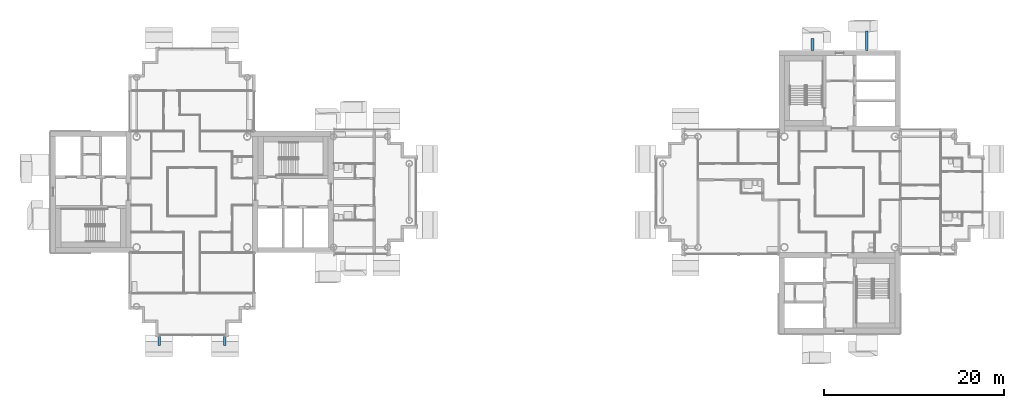
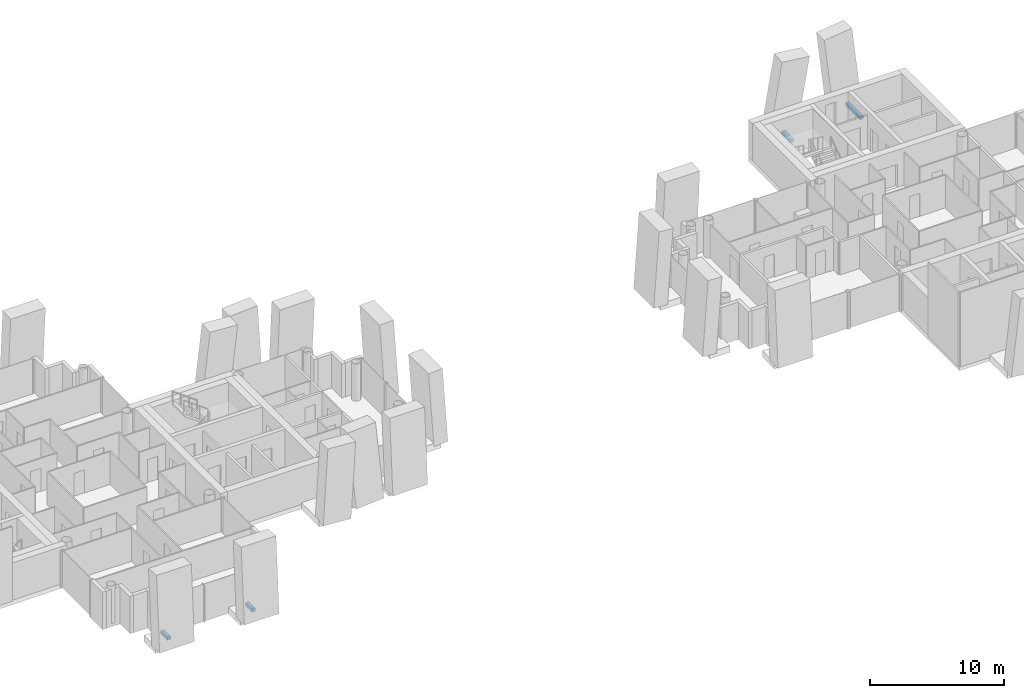
# One storey, part 12 of 19: 4 discrete accessories.
"""IFC4 building model written with IfcOpenShell, lengths in metres."""

from ifc_helpers import new_model, si_unit, direction, frame, origin, origin_2d, place, context, subcontext, project, spatial, rectangle, extrude, material, type_object, element, save


model = new_model("IFC4")

# Units and contexts
model_context = context("Model", 3, precision=1e-05, world=origin(), true_north=direction((0.0, 1.0)))
body_context = subcontext(model_context, "Body", "Model", "MODEL_VIEW")
ifc_project = project(units=[si_unit("LENGTHUNIT", "METRE"), si_unit("AREAUNIT", "SQUARE_METRE"), si_unit("VOLUMEUNIT", "CUBIC_METRE"), si_unit("PLANEANGLEUNIT", "RADIAN"), si_unit("MASSUNIT", "GRAM", prefix="KILO")], contexts=[model_context])

# Site, building, storey
site_placement = place(None, origin())
site = spatial("IfcSite", under=ifc_project, at=site_placement, CompositionType="ELEMENT")
building_placement = place(site_placement, origin())
building = spatial("IfcBuilding", under=site, at=building_placement, Name="Ipe Terrace Towers", CompositionType="ELEMENT")
storey_placement = place(building_placement, frame((0.0, 0.0, 189.199951171875)))
storey = spatial("IfcBuildingStorey", under=building, at=storey_placement, Name="L52", CompositionType="ELEMENT", Elevation=189.199951171875)

# Discrete accessories
ifc_material = material(Name="Stainless steel S316", Category="steel")
discrete_accessory_type = type_object("IfcDiscreteAccessoryType", Name="STONE FIN BRACKET", PredefinedType="BRACKET", material=ifc_material)
for number, where, z_axis, x_axis, name in (
    (1, (-32.35009765625, -16.571044921875, 0.0), (0.0, 0.0, 1.0), (1.0, 0.0, 0.0), "stone fin bracket"),
    (2, (-39.64990234375, -16.571044921875, 0.0), (0.0, 0.0, 1.0), (1.0, 0.0, 0.0), "stone fin bracket"),
):
    element("IfcDiscreteAccessory", number, at=place(storey_placement, frame(where, z_axis=z_axis, x_axis=x_axis)), inside=storey, type_object=discrete_accessory_type, Name=name, PredefinedType="BRACKET", context=body_context, shape_type="SweptSolid", body=[
        extrude(rectangle(XDim=0.300048828125, YDim=1.00244140625, at=origin_2d()), origin(), (0.0, 0.0, 1.0), 0.300048828125),
    ])
discrete_accessory_1_placement = place(storey_placement, frame((39.008056640625, 16.8310546875, 0.0), z_axis=(0.0, 0.0, 1.0), x_axis=(-1.0, 0.0, 0.0)))
element("IfcDiscreteAccessory", 3, at=discrete_accessory_1_placement, inside=storey, type_object=discrete_accessory_type, Name="stone fin bracket", PredefinedType="BRACKET", context=body_context, shape_type="SweptSolid", body=[
    extrude(rectangle(XDim=0.300048828125, YDim=2.161376953125, at=origin_2d()), origin(), (0.0, 0.0, 1.0), 0.300048828125),
])
discrete_accessory_2_placement = place(storey_placement, frame((32.991943359375, 16.410888671875, 0.0), z_axis=(0.0, 0.0, 1.0), x_axis=(-1.0, 0.0, 0.0)))
element("IfcDiscreteAccessory", 4, at=discrete_accessory_2_placement, inside=storey, type_object=discrete_accessory_type, Name="stone fin bracket", PredefinedType="BRACKET", context=body_context, shape_type="SweptSolid", body=[
    extrude(rectangle(XDim=0.300048828125, YDim=1.322509765625, at=origin_2d()), origin(), (0.0, 0.0, 1.0), 0.300048828125),
])

save(model, "model.ifc")
